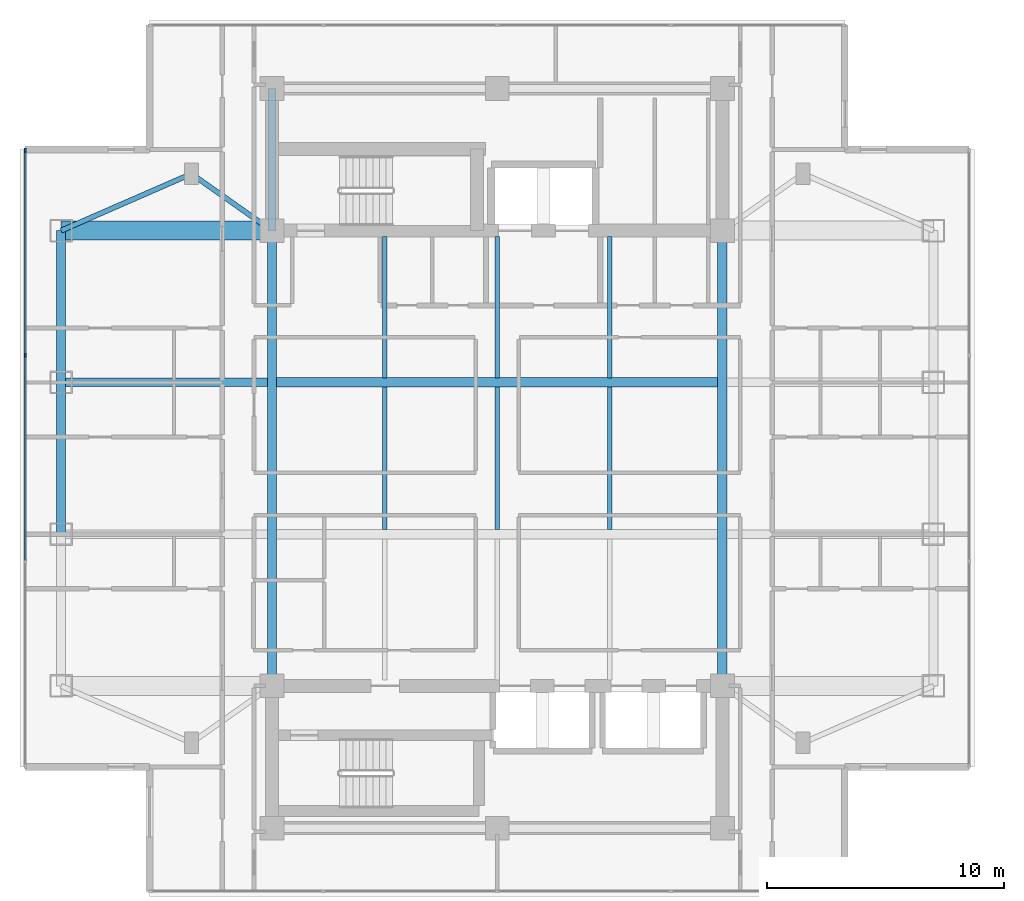
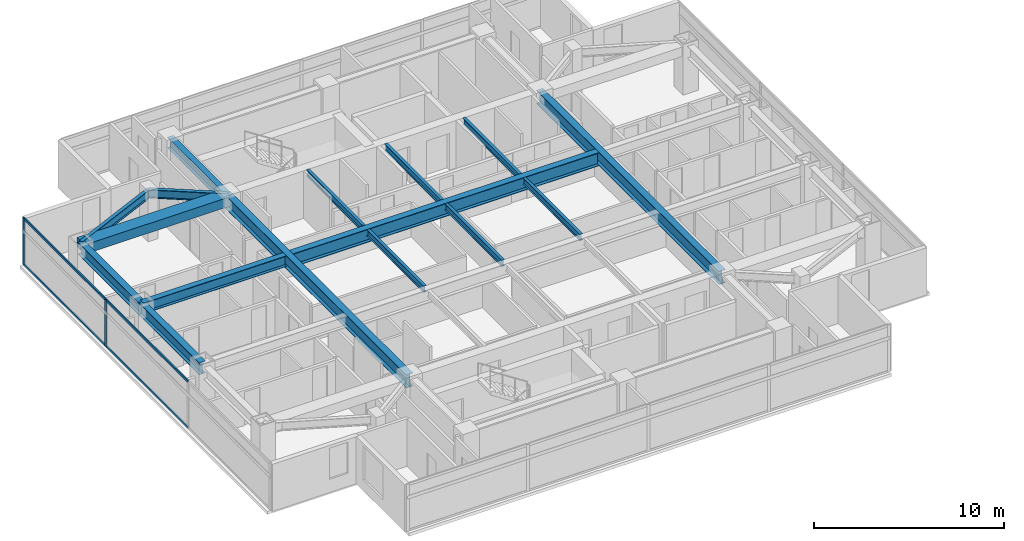
# One storey, part 3 of 24: 16 beams, 6 members, 1 element without a shape of its own.
"""IFC4 building model written with IfcOpenShell, lengths in metres."""

import ifcopenshell
import ifcopenshell.guid

model = None  # the IFC model being written
_history = None  # IfcOwnerHistory: only IFC2X3 demands one
_inside = {}  # id of a spatial element -> (the spatial element, [elements in it])
_under = {}  # id of a project, library or spatial element -> (it, [spatial elements below it])
_declared = {}  # id of a project -> (the project, [libraries it declares])
_typed = {}  # id of a type object -> (the type object, [elements of that type])
_made_of = {}  # id of a material, layer set ... -> (it, [elements and type objects made of it])


def new_model(schema):
    """Start an empty IFC model of exactly this schema.

    Asked for "IFC4X3", IfcOpenShell would pick the latest addendum, in which some entities
    have other attributes; the version numbers below select the first issue.
    IFC2X3 requires an IfcOwnerHistory on every rooted entity: one is made here for all.
    """
    global model, _history
    if schema == "IFC4X3":
        model = ifcopenshell.file(schema_version=(4, 3, 0, 0))
    else:
        model = ifcopenshell.file(schema=schema)
    _inside.clear()
    _under.clear()
    _declared.clear()
    _typed.clear()
    _made_of.clear()
    _history = None
    if model.schema == "IFC2X3":
        org = make("IfcOrganization", Name="unknown")
        user = make(
            "IfcPersonAndOrganization",
            ThePerson=make("IfcPerson", FamilyName="unknown"),
            TheOrganization=org,
        )
        app = make(
            "IfcApplication",
            ApplicationDeveloper=org,
            Version="unknown",
            ApplicationFullName="unknown",
            ApplicationIdentifier="unknown",
        )
        _history = make(
            "IfcOwnerHistory",
            OwningUser=user,
            OwningApplication=app,
            ChangeAction="ADDED",
            CreationDate=0,
        )
    return model


def make(cls, **values):
    """One entity of the class cls with the attributes given. An attribute that is None is left unset."""
    return model.create_entity(
        cls, **{name: value for name, value in values.items() if value is not None}
    )


def rooted(cls, **values):
    """An entity with a GlobalId (a new one), such as an element, a storey or a relation."""
    return make(cls, GlobalId=ifcopenshell.guid.new(), OwnerHistory=_history, **values)


def si_unit(unit_type, name, prefix=None):
    """IfcSIUnit, for example si_unit("LENGTHUNIT", "METRE", prefix="MILLI")."""
    return make("IfcSIUnit", UnitType=unit_type, Prefix=prefix, Name=name)


def assignment(units):
    """IfcUnitAssignment: the units of a project."""
    return None if units is None else make("IfcUnitAssignment", Units=units)


def point(xyz):
    """IfcCartesianPoint."""
    return None if xyz is None else make("IfcCartesianPoint", Coordinates=xyz)


def direction(xyz):
    """IfcDirection."""
    return None if xyz is None else make("IfcDirection", DirectionRatios=xyz)


def frame(location, z_axis=None, x_axis=None):
    """IfcAxis2Placement3D, a coordinate frame: its origin and axes. An axis left out is left unset."""
    return make(
        "IfcAxis2Placement3D",
        Location=point(location),
        Axis=direction(z_axis),
        RefDirection=direction(x_axis),
    )


def frame_2d(location, x_axis=None):
    """IfcAxis2Placement2D, a coordinate frame in the plane: its origin and x axis."""
    return make(
        "IfcAxis2Placement2D", Location=point(location), RefDirection=direction(x_axis)
    )


def origin():
    """The frame at (0, 0, 0) with its axes left unset."""
    return frame((0.0, 0.0, 0.0))


def origin_2d():
    """The frame at (0, 0) in the plane with its x axis left unset."""
    return frame_2d((0.0, 0.0))


def place(relative_to, where):
    """IfcLocalPlacement: puts the frame where relative to a parent placement (None: the world)."""
    return make(
        "IfcLocalPlacement", PlacementRelTo=relative_to, RelativePlacement=where
    )


def context(
    kind, dimensions, precision=None, world=None, true_north=None, identifier=None
):
    """IfcGeometricRepresentationContext, for example the 3D "Model" context."""
    return make(
        "IfcGeometricRepresentationContext",
        ContextIdentifier=identifier,
        ContextType=kind,
        CoordinateSpaceDimension=dimensions,
        Precision=precision,
        WorldCoordinateSystem=world,
        TrueNorth=true_north,
    )


def subcontext(parent, identifier, kind, view, scale=None):
    """IfcGeometricRepresentationSubContext, for example "Body" below "Model"."""
    return make(
        "IfcGeometricRepresentationSubContext",
        ContextIdentifier=identifier,
        ContextType=kind,
        ParentContext=parent,
        TargetScale=scale,
        TargetView=view,
    )


def project(units=None, contexts=None):
    """IfcProject with its units and contexts."""
    return rooted(
        "IfcProject",
        Name="project",
        RepresentationContexts=contexts,
        UnitsInContext=assignment(units),
    )


def spatial(cls, under=None, at=None, **own):
    """A site, building, storey or space (cls), placed at a placement, below another one or the project."""
    s = rooted(cls, ObjectPlacement=at, **own)
    if under is not None:
        _under.setdefault(under.id(), (under, []))[1].append(s)
    return s


def profile(cls, at=None, kind="AREA", **sizes):
    """A parametric profile (cls). Its sizes go by their IFC names, for example OverallWidth=200.0."""
    return make(cls, ProfileType=kind, Position=at, **sizes)


def rectangle(**sizes):
    """IfcRectangleProfileDef."""
    return profile("IfcRectangleProfileDef", **sizes)


def i_section(**sizes):
    """IfcIShapeProfileDef."""
    return profile("IfcIShapeProfileDef", **sizes)


def extrude(swept, where, along, depth):
    """IfcExtrudedAreaSolid: the profile swept, set in the frame where, extruded along a direction by depth."""
    return make(
        "IfcExtrudedAreaSolid",
        SweptArea=swept,
        Position=where,
        ExtrudedDirection=direction(along),
        Depth=depth,
    )


def shape(context_of_items, identifier, shape_type, items):
    """IfcShapeRepresentation: the items that make up one representation, for example the "Body"."""
    return make(
        "IfcShapeRepresentation",
        ContextOfItems=context_of_items,
        RepresentationIdentifier=identifier,
        RepresentationType=shape_type,
        Items=items,
    )


def material(Name=None, Category=None):
    """IfcMaterial."""
    return make("IfcMaterial", Name=Name, Category=Category)


def material_profile(
    of_material, cross_section, Name=None, Category=None, Priority=None
):
    """IfcMaterialProfile: a cross section and its material."""
    return make(
        "IfcMaterialProfile",
        Name=Name,
        Material=of_material,
        Profile=cross_section,
        Priority=Priority,
        Category=Category,
    )


def profile_set(profiles, Name=None, composite=None):
    """IfcMaterialProfileSet."""
    return make(
        "IfcMaterialProfileSet",
        Name=Name,
        MaterialProfiles=profiles,
        CompositeProfile=composite,
    )


def made_of(thing, what):
    """Note that an element or type object is made of a material, layer set ...; save() writes the relation."""
    if what is not None:
        _made_of.setdefault(what.id(), (what, []))[1].append(thing)
    return thing


def type_object(cls, material=None, **own):
    """A type object (cls), such as IfcWallType, which elements share."""
    return made_of(rooted(cls, **own), material)


def element(
    cls,
    number,
    at=None,
    inside=None,
    cuts=None,
    type_object=None,
    material=None,
    context=None,
    identifier="Body",
    shape_type=None,
    held_by="IfcProductDefinitionShape",
    body=None,
    shapes=None,
    **own,
):
    """One element of the class cls, such as IfcWall. Its Tag is "e" and its number.

    at: its placement. inside: the storey or other place that contains it. cuts: it is an
    opening in that element (IfcRelVoidsElement). A single representation is given by context,
    identifier, shape_type and body (its items); several are given by shapes. held_by: the class
    of the entity that holds the representations. save() writes the other relations.
    """
    e = rooted(cls, Tag="e%d" % number, ObjectPlacement=at, **own)
    if body is not None:
        shapes = [shape(context, identifier, shape_type, body)]
    if shapes is not None:
        e.Representation = make(held_by, Representations=shapes)
    if inside is not None:
        _inside.setdefault(inside.id(), (inside, []))[1].append(e)
    if cuts is not None:
        rooted(
            "IfcRelVoidsElement", RelatingBuildingElement=cuts, RelatedOpeningElement=e
        )
    if type_object is not None:
        _typed.setdefault(type_object.id(), (type_object, []))[1].append(e)
    return made_of(e, material)


def aggregate(whole, parts):
    """IfcRelAggregates: a whole, such as a stair, and the parts it consists of."""
    return rooted("IfcRelAggregates", RelatingObject=whole, RelatedObjects=parts)


def save(model, path):
    """Write the relations noted so far, then the file.

    IfcRelAggregates (storeys below a building ...), IfcRelContainedInSpatialStructure (elements
    in a storey), IfcRelDefinesByType, IfcRelAssociatesMaterial and IfcRelDeclares: one each for
    every whole, place, type object, material and project.
    """
    for whole, parts in _under.values():
        aggregate(whole, parts)
    for where, things in _inside.values():
        rooted(
            "IfcRelContainedInSpatialStructure",
            RelatedElements=things,
            RelatingStructure=where,
        )
    for kind, things in _typed.values():
        rooted("IfcRelDefinesByType", RelatedObjects=things, RelatingType=kind)
    for what, things in _made_of.values():
        rooted("IfcRelAssociatesMaterial", RelatedObjects=things, RelatingMaterial=what)
    for by, libraries in _declared.values():
        rooted("IfcRelDeclares", RelatingContext=by, RelatedDefinitions=libraries)
    model.write(path)


model = new_model("IFC4")

# Units and contexts
model_context = context("Model", 3, precision=1e-05, world=origin(), true_north=direction((0.0, 1.0)))
body_context = subcontext(model_context, "Body", "Model", "MODEL_VIEW")
ifc_project = project(units=[si_unit("LENGTHUNIT", "METRE"), si_unit("AREAUNIT", "SQUARE_METRE"), si_unit("VOLUMEUNIT", "CUBIC_METRE"), si_unit("PLANEANGLEUNIT", "RADIAN"), si_unit("MASSUNIT", "GRAM", prefix="KILO")], contexts=[model_context])

# Site, building, storey
site_placement = place(None, origin())
site = spatial("IfcSite", under=ifc_project, at=site_placement, CompositionType="ELEMENT")
building_placement = place(site_placement, origin())
building = spatial("IfcBuilding", under=site, at=building_placement, Name="Mirazonda Arch Towers", CompositionType="ELEMENT")
storey_placement = place(building_placement, frame((0.0, 0.0, 157.64990234375)))
storey = spatial("IfcBuildingStorey", under=building, at=storey_placement, Name="L44", CompositionType="ELEMENT", Elevation=157.64990234375)

# Beams
ifc_material_1 = material(Name="Steel ASTM A992 Grade 50", Category="steel")
ifc_material_profile_1 = material_profile(ifc_material_1, i_section(OverallWidth=0.381103515625, OverallDepth=0.77294921875, WebThickness=0.0166015625, FlangeThickness=0.027099609375, at=origin_2d()), Name="W30X173")
ifc_profile_set_1 = profile_set([ifc_material_profile_1], Name="Steel ASTM A992 Grade 50")
beam_type_1 = type_object("IfcBeamType", Name="BM-EXT-W30X173", PredefinedType="USERDEFINED", material=ifc_profile_set_1)
beam_1_placement = place(storey_placement, frame((2.10009765625, 24.800048828125, 2.66357421875), z_axis=(0.0, 1.0, 0.0), x_axis=(-1.0, 0.0, 0.0)))
element("IfcBeam", 1, at=beam_1_placement, inside=storey, type_object=beam_type_1, Name="L44 Floor Beam BM-T1-L44-NS-W-24", ObjectType="GIRDER", PredefinedType="USERDEFINED", context=body_context, shape_type="SweptSolid", body=[
    extrude(i_section(OverallWidth=0.381103515625, OverallDepth=0.77294921875, WebThickness=0.0166015625, FlangeThickness=0.027099609375, at=origin_2d()), origin(), (0.0, 0.0, 1.0), 6.39990234375),
])
beam_2_placement = place(storey_placement, frame((2.10009765625, 31.199951171875, 2.66357421875), z_axis=(0.0, 1.0, 0.0), x_axis=(-1.0, 0.0, 0.0)))
element("IfcBeam", 2, at=beam_2_placement, inside=storey, type_object=beam_type_1, Name="L44 Floor Beam BM-T1-L44-NS-W-31", ObjectType="GIRDER", PredefinedType="USERDEFINED", context=body_context, shape_type="SweptSolid", body=[
    extrude(i_section(OverallWidth=0.381103515625, OverallDepth=0.77294921875, WebThickness=0.0166015625, FlangeThickness=0.027099609375, at=origin_2d()), origin(), (0.0, 0.0, 1.0), 6.400146484375),
])
ifc_material_profile_2 = material_profile(ifc_material_1, i_section(OverallWidth=0.180908203125, OverallDepth=0.4169921875, WebThickness=0.010986328125, FlangeThickness=0.018310546875, at=origin_2d()), Name="W16X57")
ifc_profile_set_2 = profile_set([ifc_material_profile_2], Name="Steel ASTM A992 Grade 50")
beam_type_2 = type_object("IfcBeamType", Name="BM-INT-W16X57", PredefinedType="JOIST", material=ifc_profile_set_2)
beam_3_placement = place(storey_placement, frame((15.75, 31.39599609375, 2.841552734375), z_axis=(0.0, 1.0, 0.0), x_axis=(-1.0, 0.0, 0.0)))
element("IfcBeam", 3, at=beam_3_placement, inside=storey, type_object=beam_type_2, Name="L44 Floor Beam BM-T1-L44-J-157-31", PredefinedType="JOIST", context=body_context, shape_type="SweptSolid", body=[
    extrude(i_section(OverallWidth=0.180908203125, OverallDepth=0.4169921875, WebThickness=0.010986328125, FlangeThickness=0.018310546875, at=origin_2d()), origin(), (0.0, 0.0, 1.0), 5.964111328125),
])
beam_4_placement = place(storey_placement, frame((15.75, 24.99609375, 2.841552734375), z_axis=(0.0, 1.0, 0.0), x_axis=(-1.0, 0.0, 0.0)))
element("IfcBeam", 4, at=beam_4_placement, inside=storey, type_object=beam_type_2, Name="L44 Floor Beam BM-T1-L44-J-157-24", PredefinedType="JOIST", context=body_context, shape_type="SweptSolid", body=[
    extrude(i_section(OverallWidth=0.180908203125, OverallDepth=0.4169921875, WebThickness=0.010986328125, FlangeThickness=0.018310546875, at=origin_2d()), origin(), (0.0, 0.0, 1.0), 6.0078125),
])
beam_5_placement = place(storey_placement, frame((20.5, 31.39599609375, 2.841552734375), z_axis=(0.0, 1.0, 0.0), x_axis=(-1.0, 0.0, 0.0)))
element("IfcBeam", 5, at=beam_5_placement, inside=storey, type_object=beam_type_2, Name="L44 Floor Beam BM-T1-L44-J-205-31", PredefinedType="JOIST", context=body_context, shape_type="SweptSolid", body=[
    extrude(i_section(OverallWidth=0.180908203125, OverallDepth=0.4169921875, WebThickness=0.010986328125, FlangeThickness=0.018310546875, at=origin_2d()), origin(), (0.0, 0.0, 1.0), 5.964111328125),
])
beam_6_placement = place(storey_placement, frame((20.5, 24.99609375, 2.841552734375), z_axis=(0.0, 1.0, 0.0), x_axis=(-1.0, 0.0, 0.0)))
element("IfcBeam", 6, at=beam_6_placement, inside=storey, type_object=beam_type_2, Name="L44 Floor Beam BM-T1-L44-J-205-24", PredefinedType="JOIST", context=body_context, shape_type="SweptSolid", body=[
    extrude(i_section(OverallWidth=0.180908203125, OverallDepth=0.4169921875, WebThickness=0.010986328125, FlangeThickness=0.018310546875, at=origin_2d()), origin(), (0.0, 0.0, 1.0), 6.0078125),
])
beam_7_placement = place(storey_placement, frame((25.25, 31.39599609375, 2.841552734375), z_axis=(0.0, 1.0, 0.0), x_axis=(-1.0, 0.0, 0.0)))
element("IfcBeam", 7, at=beam_7_placement, inside=storey, type_object=beam_type_2, Name="L44 Floor Beam BM-T1-L44-J-252-31", PredefinedType="JOIST", context=body_context, shape_type="SweptSolid", body=[
    extrude(i_section(OverallWidth=0.180908203125, OverallDepth=0.4169921875, WebThickness=0.010986328125, FlangeThickness=0.018310546875, at=origin_2d()), origin(), (0.0, 0.0, 1.0), 5.964111328125),
])
beam_8_placement = place(storey_placement, frame((25.25, 24.99609375, 2.841552734375), z_axis=(0.0, 1.0, 0.0), x_axis=(-1.0, 0.0, 0.0)))
element("IfcBeam", 8, at=beam_8_placement, inside=storey, type_object=beam_type_2, Name="L44 Floor Beam BM-T1-L44-J-252-24", PredefinedType="JOIST", context=body_context, shape_type="SweptSolid", body=[
    extrude(i_section(OverallWidth=0.180908203125, OverallDepth=0.4169921875, WebThickness=0.010986328125, FlangeThickness=0.018310546875, at=origin_2d()), origin(), (0.0, 0.0, 1.0), 6.0078125),
])
ifc_material_profile_3 = material_profile(ifc_material_1, i_section(OverallWidth=0.214111328125, OverallDepth=0.549072265625, WebThickness=0.0146484375, FlangeThickness=0.023681640625, at=origin_2d()), Name="W21X93")
ifc_profile_set_3 = profile_set([ifc_material_profile_3], Name="Steel ASTM A992 Grade 50")
beam_type_3 = type_object("IfcBeamType", Name="BM-INT-W21X93", PredefinedType="BEAM", material=ifc_profile_set_3)
beam_9_placement = place(storey_placement, frame((7.60009765625, 40.0, 2.775634765625), z_axis=(0.816971114901, -0.576678591087, 0.0), x_axis=(0.576678591087, 0.816971114901, 0.0)))
element("IfcBeam", 9, at=beam_9_placement, inside=storey, type_object=beam_type_3, Name="L44 Floor Beam BM-T1-L44-PL-NW1", PredefinedType="BEAM", context=body_context, shape_type="SweptSolid", body=[
    extrude(i_section(OverallWidth=0.214111328125, OverallDepth=0.549072265625, WebThickness=0.0146484375, FlangeThickness=0.023681640625, at=origin_2d()), origin(), (0.0, 0.0, 1.0), 4.16162109375),
])
beam_10_placement = place(storey_placement, frame((7.60009765625, 40.0, 2.775634765625), z_axis=(-0.916545343703, -0.399930785183, 0.0), x_axis=(0.399930785183, -0.916545343703, 0.0)))
element("IfcBeam", 10, at=beam_10_placement, inside=storey, type_object=beam_type_3, Name="L44 Floor Beam BM-T1-L44-PL-NW2", PredefinedType="BEAM", context=body_context, shape_type="SweptSolid", body=[
    extrude(i_section(OverallWidth=0.214111328125, OverallDepth=0.549072265625, WebThickness=0.0146484375, FlangeThickness=0.023681640625, at=origin_2d()), origin(), (0.0, 0.0, 1.0), 6.000732421875),
])
ifc_material_profile_4 = material_profile(ifc_material_1, i_section(OverallWidth=0.35498046875, OverallDepth=0.696044921875, WebThickness=0.015380859375, FlangeThickness=0.02490234375, at=origin_2d()), Name="W27X146")
ifc_profile_set_4 = profile_set([ifc_material_profile_4], Name="Steel ASTM A992 Grade 50")
beam_type_4 = type_object("IfcBeamType", Name="BM-INT-W27X146", PredefinedType="BEAM", material=ifc_profile_set_4)
beam_11_placement = place(storey_placement, frame((2.10009765625, 31.199951171875, 2.7021484375), z_axis=(1.0, 0.0, 0.0), x_axis=(0.0, 1.0, 0.0)))
element("IfcBeam", 11, at=beam_11_placement, inside=storey, type_object=beam_type_4, Name="L44 Floor Beam BM-T1-L44-GW3", PredefinedType="BEAM", context=body_context, shape_type="SweptSolid", body=[
    extrude(i_section(OverallWidth=0.35498046875, OverallDepth=0.696044921875, WebThickness=0.015380859375, FlangeThickness=0.02490234375, at=origin_2d()), origin(), (0.0, 0.0, 1.0), 8.699951171875),
])
beam_12_placement = place(storey_placement, frame((11.0, 37.60009765625, 2.7021484375), z_axis=(0.0, 1.0, 0.0), x_axis=(-1.0, 0.0, 0.0)))
element("IfcBeam", 12, at=beam_12_placement, inside=storey, type_object=beam_type_4, Name="L44 Floor Beam BM-T1-L44-CNW", PredefinedType="BEAM", context=body_context, shape_type="SweptSolid", body=[
    extrude(i_section(OverallWidth=0.35498046875, OverallDepth=0.696044921875, WebThickness=0.015380859375, FlangeThickness=0.02490234375, at=origin_2d()), origin(), (0.0, 0.0, 1.0), 6.0),
])
ifc_material_profile_5 = material_profile(ifc_material_1, i_section(OverallWidth=0.39990234375, OverallDepth=0.85595703125, WebThickness=0.018310546875, FlangeThickness=0.029296875, at=origin_2d()), Name="W33X201")
ifc_profile_set_5 = profile_set([ifc_material_profile_5], Name="Steel ASTM A992 Grade 50")
beam_type_5 = type_object("IfcBeamType", Name="BM-INT-W33X201", PredefinedType="USERDEFINED", material=ifc_profile_set_5)
beam_13_placement = place(storey_placement, frame((11.199951171875, 31.199951171875, 2.6220703125), z_axis=(1.0, 0.0, 0.0), x_axis=(0.0, 1.0, 0.0)))
element("IfcBeam", 13, at=beam_13_placement, inside=storey, type_object=beam_type_5, Name="L44 Floor Beam BM-T1-L44-GC3", ObjectType="GIRDER", PredefinedType="USERDEFINED", context=body_context, shape_type="SweptSolid", body=[
    extrude(i_section(OverallWidth=0.39990234375, OverallDepth=0.85595703125, WebThickness=0.018310546875, FlangeThickness=0.029296875, at=origin_2d()), origin(), (0.0, 0.0, 1.0), 18.60009765625),
])
for number, where, z_axis, x_axis, name in (
    (14, (11.0, 18.39990234375, 2.6220703125), (0.0, 1.0, 0.0), (-1.0, 0.0, 0.0), "L44 Floor Beam BM-T1-L44-NS-CW-FULL"),
    (15, (30.0, 18.39990234375, 2.6220703125), (0.0, 1.0, 0.0), (-1.0, 0.0, 0.0), "L44 Floor Beam BM-T1-L44-NS-CE-FULL"),
):
    element("IfcBeam", number, at=place(storey_placement, frame(where, z_axis=z_axis, x_axis=x_axis)), inside=storey, type_object=beam_type_5, Name=name, ObjectType="GIRDER", PredefinedType="USERDEFINED", context=body_context, shape_type="SweptSolid", body=[
        extrude(i_section(OverallWidth=0.39990234375, OverallDepth=0.85595703125, WebThickness=0.018310546875, FlangeThickness=0.029296875, at=origin_2d()), origin(), (0.0, 0.0, 1.0), 19.2001953125),
    ])
ifc_material_2 = material(Name="Concrete C60/75", Category="concrete")
ifc_material_profile_6 = material_profile(ifc_material_2, rectangle(XDim=0.800048828125, YDim=0.60009765625, at=origin_2d()), Name="RCCB800x600")
ifc_profile_set_6 = profile_set([ifc_material_profile_6], Name="Concrete C60/75")
beam_type_6 = type_object("IfcBeamType", Name="CB-INT-RCCB800x600", PredefinedType="SPANDREL", material=ifc_profile_set_6)
beam_14_placement = place(storey_placement, frame((2.10009765625, 37.60009765625, 2.75), z_axis=(1.0, 0.0, 0.0), x_axis=(0.0, 1.0, 0.0)))
element("IfcBeam", 16, at=beam_14_placement, inside=storey, type_object=beam_type_6, Name="L44 Floor Beam CBC-T1-L44-NW", PredefinedType="SPANDREL", context=body_context, shape_type="SweptSolid", body=[
    extrude(rectangle(XDim=0.800048828125, YDim=0.60009765625, at=origin_2d()), origin(), (0.0, 0.0, 1.0), 8.89990234375),
])

# Curtain wall, members
ifc_material_3 = material(Name="Anodised Aluminium and Low-E Glass", Category="aluminium")
curtain_wall_type = type_object("IfcCurtainWallType", Name="CW-RES-UNIT", PredefinedType="NOTDEFINED", material=ifc_material_3)
curtain_wall_placement = place(storey_placement, origin())
curtain_wall = element("IfcCurtainWall", 17, at=curtain_wall_placement, inside=storey, type_object=curtain_wall_type, Name="L44 T1 W Facade CW-L44-T1-W", PredefinedType="NOTDEFINED")
ifc_material_4 = material(Name="Anodised Aluminium Alloy", Category="aluminium")
ifc_material_profile_7 = material_profile(ifc_material_4, rectangle(XDim=0.074951171875, YDim=0.175048828125, at=origin_2d()), Name="ALU-MULL-75x175")
ifc_profile_set_7 = profile_set([ifc_material_profile_7], Name="Anodised Aluminium Alloy")
member_type_1 = type_object("IfcMemberType", Name="MULL-CW-RES-UNIT", PredefinedType="MULLION", material=ifc_profile_set_7)
member_1_placement = place(storey_placement, frame((0.590087890625, 40.985595703125, 0.0), z_axis=(0.0, 0.0, 1.0), x_axis=(1.0, 0.0, 0.0)))
member_1 = element("IfcMember", 18, at=member_1_placement, type_object=member_type_1, Name="CW-104 mullion 1", PredefinedType="MULLION", context=body_context, shape_type="SweptSolid", body=[
    extrude(rectangle(XDim=0.074951171875, YDim=0.175048828125, at=origin_2d()), origin(), (0.0, 0.0, 1.0), 3.030029296875),
])
member_2_placement = place(storey_placement, frame((0.590087890625, 32.341064453125, 0.0), z_axis=(0.0, 0.0, 1.0), x_axis=(1.0, 0.0, 0.0)))
member_2 = element("IfcMember", 19, at=member_2_placement, type_object=member_type_1, Name="CW-104 mullion 2", PredefinedType="MULLION", context=body_context, shape_type="SweptSolid", body=[
    extrude(rectangle(XDim=0.074951171875, YDim=0.175048828125, at=origin_2d()), origin(), (0.0, 0.0, 1.0), 3.030029296875),
])
ifc_material_profile_8 = material_profile(ifc_material_4, rectangle(XDim=0.074951171875, YDim=0.155029296875, at=origin_2d()), Name="ALU-TRAN-75x155")
ifc_profile_set_8 = profile_set([ifc_material_profile_8], Name="Anodised Aluminium Alloy")
member_type_2 = type_object("IfcMemberType", Name="TRAN-CW-RES-UNIT", PredefinedType="USERDEFINED", material=ifc_profile_set_8)
member_3_placement = place(storey_placement, frame((0.590087890625, 40.947998046875, 0.03759765625), z_axis=(0.0, -1.0, 0.0), x_axis=(1.0, 0.0, 0.0)))
member_3 = element("IfcMember", 20, at=member_3_placement, type_object=member_type_2, Name="CW-104 transom 1.1", ObjectType="TRANSOM", PredefinedType="USERDEFINED", context=body_context, shape_type="SweptSolid", body=[
    extrude(rectangle(XDim=0.074951171875, YDim=0.155029296875, at=origin_2d()), origin(), (0.0, 0.0, 1.0), 8.569580078125),
])
member_4_placement = place(storey_placement, frame((0.590087890625, 40.947998046875, 2.99267578125), z_axis=(0.0, -1.0, 0.0), x_axis=(1.0, 0.0, 0.0)))
member_4 = element("IfcMember", 21, at=member_4_placement, type_object=member_type_2, Name="CW-104 transom 1.2", ObjectType="TRANSOM", PredefinedType="USERDEFINED", context=body_context, shape_type="SweptSolid", body=[
    extrude(rectangle(XDim=0.074951171875, YDim=0.155029296875, at=origin_2d()), origin(), (0.0, 0.0, 1.0), 8.569580078125),
])
member_5_placement = place(storey_placement, frame((0.590087890625, 32.303466796875, 0.03759765625), z_axis=(0.0, -1.0, 0.0), x_axis=(1.0, 0.0, 0.0)))
member_5 = element("IfcMember", 22, at=member_5_placement, type_object=member_type_2, Name="CW-104 transom 2.1", ObjectType="TRANSOM", PredefinedType="USERDEFINED", context=body_context, shape_type="SweptSolid", body=[
    extrude(rectangle(XDim=0.074951171875, YDim=0.155029296875, at=origin_2d()), origin(), (0.0, 0.0, 1.0), 8.60693359375),
])
member_6_placement = place(storey_placement, frame((0.590087890625, 32.303466796875, 2.99267578125), z_axis=(0.0, -1.0, 0.0), x_axis=(1.0, 0.0, 0.0)))
member_6 = element("IfcMember", 23, at=member_6_placement, type_object=member_type_2, Name="CW-104 transom 2.2", ObjectType="TRANSOM", PredefinedType="USERDEFINED", context=body_context, shape_type="SweptSolid", body=[
    extrude(rectangle(XDim=0.074951171875, YDim=0.155029296875, at=origin_2d()), origin(), (0.0, 0.0, 1.0), 8.60693359375),
])
aggregate(curtain_wall, [member_1, member_2, member_3, member_4, member_5, member_6])

save(model, "model.ifc")
